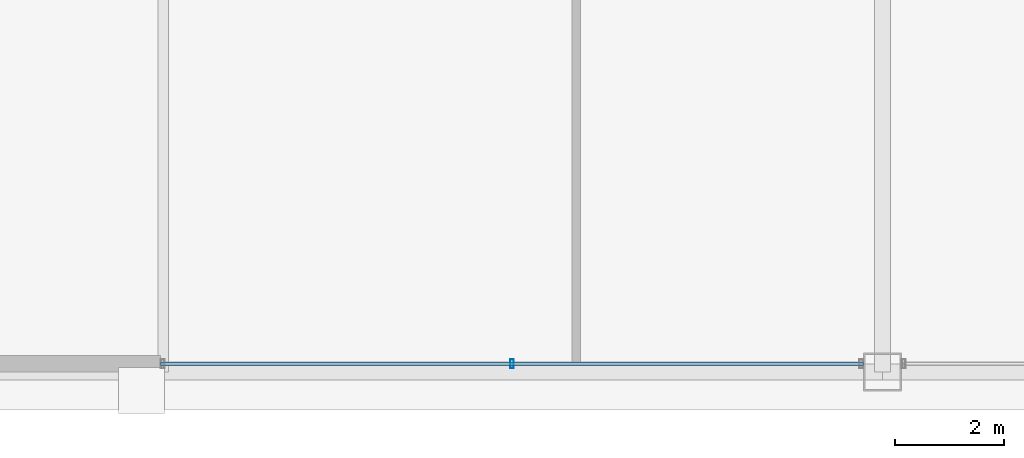
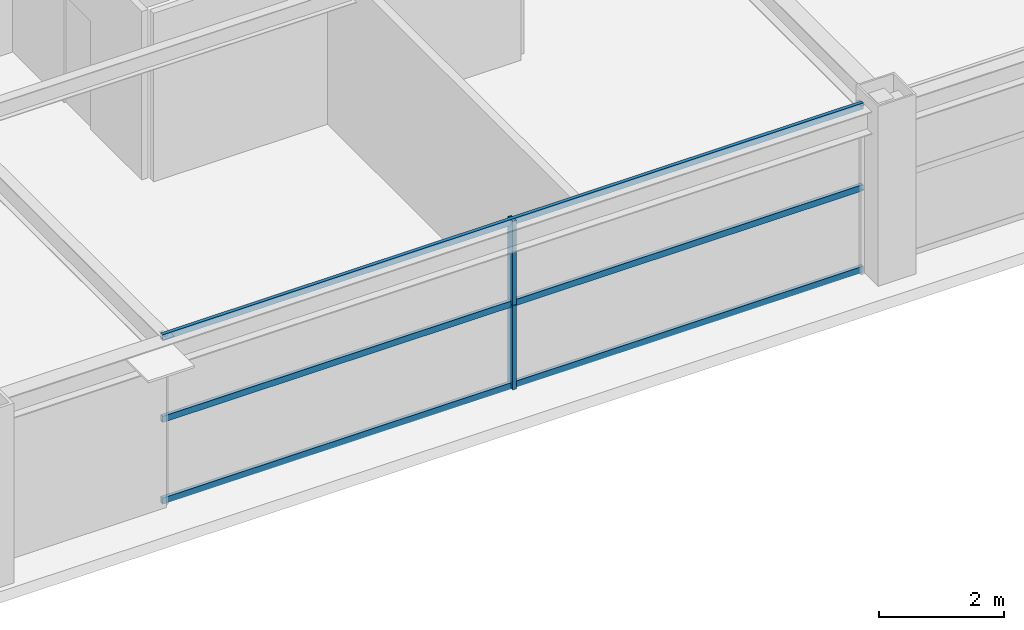
# One storey, part 6 of 37: 5 members, 1 element without a shape of its own.
"""IFC4 building model written with IfcOpenShell, lengths in metres."""

from ifc_helpers import new_model, si_unit, direction, frame, origin, origin_2d, place, context, subcontext, project, spatial, hollow_rectangle, extrude, source, transform, mapped, material, layer, layer_set, material_profile, profile_set, type_object, element, aggregate, save


model = new_model("IFC4")

# Units and contexts
model_context = context("Model", 3, precision=1e-05, world=origin(), true_north=direction((0.0, 1.0)))
body_context = subcontext(model_context, "Body", "Model", "MODEL_VIEW")
ifc_project = project(units=[si_unit("LENGTHUNIT", "METRE"), si_unit("AREAUNIT", "SQUARE_METRE"), si_unit("VOLUMEUNIT", "CUBIC_METRE"), si_unit("PLANEANGLEUNIT", "RADIAN"), si_unit("MASSUNIT", "GRAM", prefix="KILO"), si_unit("THERMODYNAMICTEMPERATUREUNIT", "KELVIN"), si_unit("POWERUNIT", "WATT")], contexts=[model_context])

# Site, building, storey
site_placement = place(None, origin())
site = spatial("IfcSite", under=ifc_project, at=site_placement, CompositionType="ELEMENT")
building_placement = place(site_placement, origin())
building = spatial("IfcBuilding", under=site, at=building_placement, Name="Yuzanri Waterfront Tower", CompositionType="ELEMENT")
storey_placement = place(building_placement, frame((0.0, 0.0, 275.10009765625)))
storey = spatial("IfcBuildingStorey", under=building, at=storey_placement, Name="L73", CompositionType="ELEMENT", Elevation=275.10009765625)

# Curtain wall, members
ifc_material_1 = material(Name="Anodized Architectural Bronze", Category="metal")
ifc_layer = layer(ifc_material_1, 0.159912109375)
ifc_layer_set = layer_set([ifc_layer], Name="Anodized Architectural Bronze")
curtain_wall_type = type_object("IfcCurtainWallType", Name="Anodized Bronze Mid-Rise Residential Acoustic Unitized Curtain Wall 7200", PredefinedType="NOTDEFINED", material=ifc_layer_set)
curtain_wall_placement = place(storey_placement, origin())
curtain_wall = element("IfcCurtainWall", 1, at=curtain_wall_placement, inside=storey, type_object=curtain_wall_type, Name="L73 Curtain Wall CW-L73-SL", PredefinedType="NOTDEFINED")
ifc_material_2 = material(Name="Anodized Architectural Bronze", Category="metal")
ifc_material_profile_1 = material_profile(ifc_material_2, hollow_rectangle(XDim=0.06494140625, YDim=0.159912109375, WallThickness=0.00341796875, at=origin_2d()), Name="CWM 65x160")
ifc_profile_set_1 = profile_set([ifc_material_profile_1], Name="Anodized Architectural Bronze")
member_type_1 = type_object("IfcMemberType", Name="Anodized Bronze Upper-Zone Curtain-Wall Mullion 65x160", PredefinedType="MULLION", material=ifc_profile_set_1)
shared_shape_1 = source(origin(), body_context, "Body", "SweptSolid", [
    extrude(hollow_rectangle(XDim=0.06494140625, YDim=0.159912109375, WallThickness=0.00341796875, at=origin_2d()), origin(), (0.0, 0.0, 1.0), 1.637939453125),
])
member_1_placement = place(storey_placement, frame((30.199951171875, 5.35009765625, 0.0), z_axis=(0.0, 0.0, 1.0), x_axis=(1.0, 0.0, 0.0)))
member_1 = element("IfcMember", 2, at=member_1_placement, type_object=member_type_1, Name="CW-L73-SL Lower Mullion 01", PredefinedType="MULLION", context=body_context, shape_type="MappedRepresentation", body=[
    mapped(shared_shape_1, transform((0.0, 0.0, 0.0), scale=1.0)),
])
member_2_placement = place(storey_placement, frame((30.199951171875, 5.35009765625, 1.641845703125), z_axis=(0.0, 0.0, 1.0), x_axis=(1.0, 0.0, 0.0)))
member_2 = element("IfcMember", 3, at=member_2_placement, type_object=member_type_1, Name="CW-L73-SL Upper Mullion 01", PredefinedType="MULLION", context=body_context, shape_type="MappedRepresentation", body=[
    mapped(shared_shape_1, transform((0.0, 0.0, 0.0), scale=1.0)),
])
ifc_material_3 = material(Name="Anodized Architectural Bronze", Category="metal")
ifc_material_profile_2 = material_profile(ifc_material_3, hollow_rectangle(XDim=0.06494140625, YDim=0.1201171875, WallThickness=0.00341796875, at=origin_2d()), Name="CWT 65x120")
ifc_profile_set_2 = profile_set([ifc_material_profile_2], Name="Anodized Architectural Bronze")
member_type_2 = type_object("IfcMemberType", Name="Anodized Bronze Secondary Curtain-Wall Transom 65x120", PredefinedType="USERDEFINED", material=ifc_profile_set_2)
shared_shape_2 = source(origin(), body_context, "Body", "SweptSolid", [
    extrude(hollow_rectangle(XDim=0.06494140625, YDim=0.1201171875, WallThickness=0.00341796875, at=origin_2d()), origin(), (0.0, 0.0, 1.0), 12.89990234375),
])
member_3_placement = place(storey_placement, frame((23.75, 5.35009765625, 0.0498046875), z_axis=(1.0, 0.0, 0.0), x_axis=(0.0, 1.0, 0.0)))
member_3 = element("IfcMember", 4, at=member_3_placement, type_object=member_type_2, Name="CW-L73-SL Transom 1", ObjectType="TRANSOM", PredefinedType="USERDEFINED", context=body_context, shape_type="MappedRepresentation", body=[
    mapped(shared_shape_2, transform((0.0, 0.0, 0.0), scale=1.0)),
])
member_4_placement = place(storey_placement, frame((23.75, 5.35009765625, 1.639892578125), z_axis=(1.0, 0.0, 0.0), x_axis=(0.0, 1.0, 0.0)))
member_4 = element("IfcMember", 5, at=member_4_placement, type_object=member_type_2, Name="CW-L73-SL Transom 2", ObjectType="TRANSOM", PredefinedType="USERDEFINED", context=body_context, shape_type="MappedRepresentation", body=[
    mapped(shared_shape_2, transform((0.0, 0.0, 0.0), scale=1.0)),
])
member_5_placement = place(storey_placement, frame((23.75, 5.35009765625, 3.22998046875), z_axis=(1.0, 0.0, 0.0), x_axis=(0.0, 1.0, 0.0)))
member_5 = element("IfcMember", 6, at=member_5_placement, type_object=member_type_2, Name="CW-L73-SL Transom 3", ObjectType="TRANSOM", PredefinedType="USERDEFINED", context=body_context, shape_type="MappedRepresentation", body=[
    mapped(shared_shape_2, transform((0.0, 0.0, 0.0), scale=1.0)),
])
aggregate(curtain_wall, [member_1, member_2, member_3, member_4, member_5])

save(model, "model.ifc")
